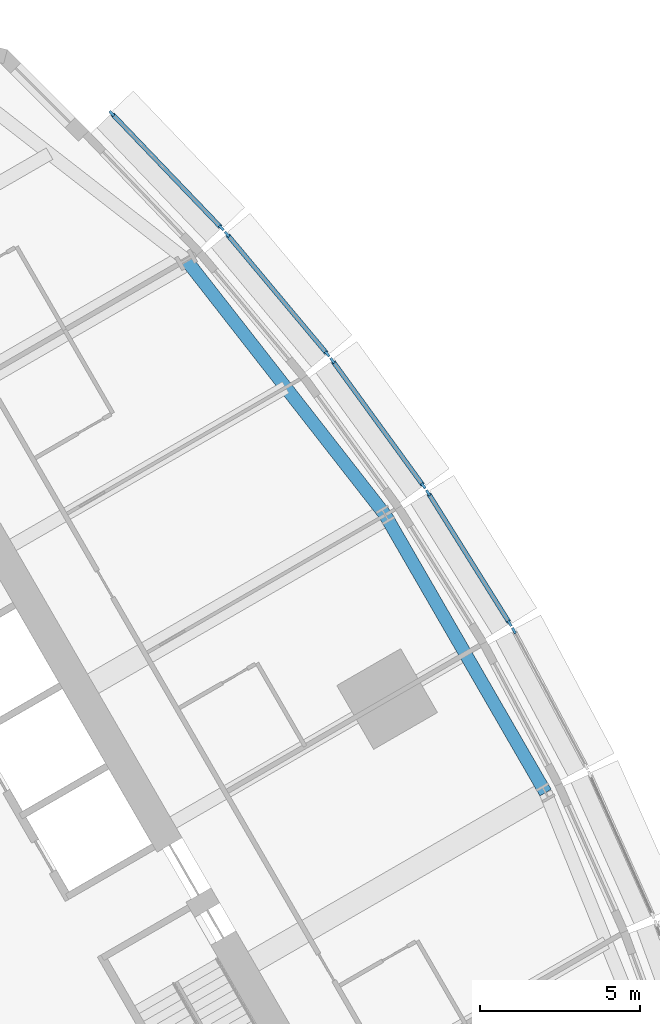
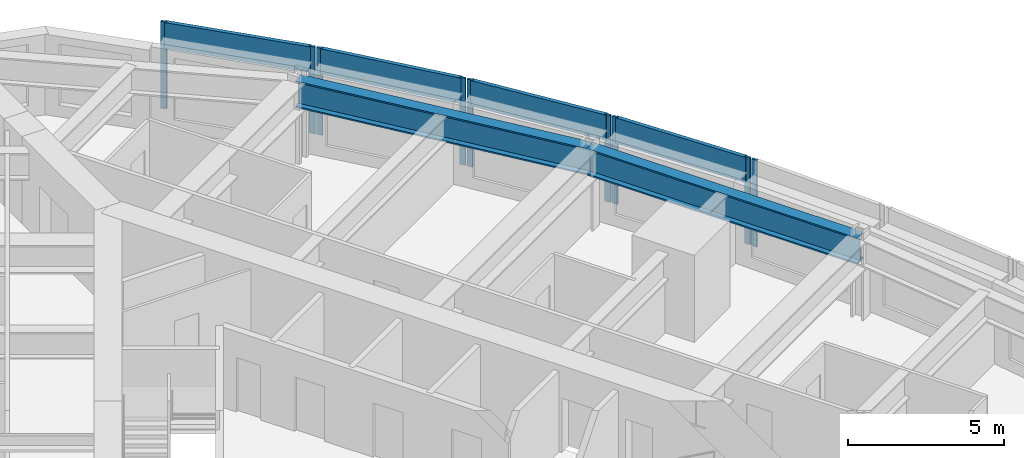
# One storey, part 6 of 15: 13 members, 2 beams, 5 elements without a shape of their own.
"""IFC4 building model written with IfcOpenShell, lengths in metres."""

from ifc_helpers import new_model, si_unit, direction, frame, origin, origin_2d, place, context, subcontext, project, spatial, rectangle, i_section, extrude, material, material_profile, profile_set, type_object, element, aggregate, save


model = new_model("IFC4")

# Units and contexts
model_context = context("Model", 3, precision=1e-05, world=origin(), true_north=direction((0.0, 1.0)))
body_context = subcontext(model_context, "Body", "Model", "MODEL_VIEW")
ifc_project = project(units=[si_unit("LENGTHUNIT", "METRE"), si_unit("AREAUNIT", "SQUARE_METRE"), si_unit("VOLUMEUNIT", "CUBIC_METRE"), si_unit("PLANEANGLEUNIT", "RADIAN"), si_unit("MASSUNIT", "GRAM", prefix="KILO")], contexts=[model_context])

# Site, building, storey
site_placement = place(None, origin())
site = spatial("IfcSite", under=ifc_project, at=site_placement, CompositionType="ELEMENT")
building_placement = place(site_placement, origin())
building = spatial("IfcBuilding", under=site, at=building_placement, Name="Trikona Tower", CompositionType="ELEMENT")
storey_placement = place(building_placement, frame((0.0, 0.0, 186.10009765625)))
storey = spatial("IfcBuildingStorey", under=building, at=storey_placement, Name="L50", CompositionType="ELEMENT", Elevation=186.10009765625)

# Curtain wall, member
ifc_material_1 = material(Name="Aluminium curtain wall system", Category="aluminium")
curtain_wall_type = type_object("IfcCurtainWallType", Name="Curtain wall DS2S", PredefinedType="NOTDEFINED", material=ifc_material_1)
curtain_wall_1_placement = place(storey_placement, origin())
curtain_wall_1 = element("IfcCurtainWall", 1, at=curtain_wall_1_placement, inside=storey, type_object=curtain_wall_type, Name="Curtain wall DS2S L50", PredefinedType="NOTDEFINED")
ifc_material_2 = material(Name="Aluminium mullion, pale anodised", Category="aluminium")
ifc_material_profile_1 = material_profile(ifc_material_2, rectangle(XDim=0.080078125, YDim=0.199951171875, at=origin_2d()), Name="MUL-DS2S")
ifc_profile_set_1 = profile_set([ifc_material_profile_1], Name="Aluminium mullion, pale anodised")
member_type_1 = type_object("IfcMemberType", Name="Mullion DS2S 80x200", PredefinedType="MULLION", material=ifc_profile_set_1)
member_1_placement = place(storey_placement, frame((19.2666015625, 10.9716796875, 0.0), z_axis=(0.0, 0.0, 1.0), x_axis=(-0.882996107343, -0.469380308937, 0.0)))
member_1 = element("IfcMember", 2, at=member_1_placement, type_object=member_type_1, Name="CW-DS2S mullion 2", PredefinedType="MULLION", context=body_context, shape_type="SweptSolid", body=[
    extrude(rectangle(XDim=0.080078125, YDim=0.199951171875, at=origin_2d()), origin(), (0.0, 0.0, 1.0), 3.39990234375),
])
aggregate(curtain_wall_1, [member_1])

# Curtain wall, members
curtain_wall_2_placement = place(storey_placement, origin())
curtain_wall_2 = element("IfcCurtainWall", 3, at=curtain_wall_2_placement, inside=storey, type_object=curtain_wall_type, Name="Curtain wall DS2S L50", PredefinedType="NOTDEFINED")
member_2_placement = place(storey_placement, frame((19.135009765625, 11.199462890625, 0.0), z_axis=(0.0, 0.0, 1.0), x_axis=(-0.847998304006, -0.529998940002, 0.0)))
member_2 = element("IfcMember", 4, at=member_2_placement, type_object=member_type_1, Name="CW-DS2S mullion 1", PredefinedType="MULLION", context=body_context, shape_type="SweptSolid", body=[
    extrude(rectangle(XDim=0.080078125, YDim=0.199951171875, at=origin_2d()), origin(), (0.0, 0.0, 1.0), 3.39990234375),
])
member_3_placement = place(storey_placement, frame((16.589599609375, 15.2724609375, 0.0), z_axis=(0.0, 0.0, 1.0), x_axis=(-0.847998304006, -0.529998940002, 0.0)))
member_3 = element("IfcMember", 5, at=member_3_placement, type_object=member_type_1, Name="CW-DS2S mullion 2", PredefinedType="MULLION", context=body_context, shape_type="SweptSolid", body=[
    extrude(rectangle(XDim=0.080078125, YDim=0.199951171875, at=origin_2d()), origin(), (0.0, 0.0, 1.0), 3.39990234375),
])

curtain_wall_3_placement = place(storey_placement, origin())
curtain_wall_3 = element("IfcCurtainWall", 6, at=curtain_wall_3_placement, inside=storey, type_object=curtain_wall_type, Name="Curtain wall DS2S L50", PredefinedType="NOTDEFINED")
member_4_placement = place(storey_placement, frame((16.442626953125, 15.489990234375, 0.0), z_axis=(0.0, 0.0, 1.0), x_axis=(-0.80908576332, -0.587690588313, 0.0)))
member_4 = element("IfcMember", 7, at=member_4_placement, type_object=member_type_1, Name="CW-DS2S mullion 1", PredefinedType="MULLION", context=body_context, shape_type="SweptSolid", body=[
    extrude(rectangle(XDim=0.080078125, YDim=0.199951171875, at=origin_2d()), origin(), (0.0, 0.0, 1.0), 3.39990234375),
])
member_5_placement = place(storey_placement, frame((13.605712890625, 19.39599609375, 0.0), z_axis=(0.0, 0.0, 1.0), x_axis=(-0.80908576332, -0.587690588313, 0.0)))
member_5 = element("IfcMember", 8, at=member_5_placement, type_object=member_type_1, Name="CW-DS2S mullion 2", PredefinedType="MULLION", context=body_context, shape_type="SweptSolid", body=[
    extrude(rectangle(XDim=0.080078125, YDim=0.199951171875, at=origin_2d()), origin(), (0.0, 0.0, 1.0), 3.39990234375),
])

curtain_wall_4_placement = place(storey_placement, origin())
curtain_wall_4 = element("IfcCurtainWall", 9, at=curtain_wall_4_placement, inside=storey, type_object=curtain_wall_type, Name="Curtain wall DS2S L50", PredefinedType="NOTDEFINED")
member_6_placement = place(storey_placement, frame((13.44482421875, 19.602294921875, 0.0), z_axis=(0.0, 0.0, 1.0), x_axis=(-0.766866678271, -0.641806433248, 0.0)))
member_6 = element("IfcMember", 10, at=member_6_placement, type_object=member_type_1, Name="CW-DS2S mullion 1", PredefinedType="MULLION", context=body_context, shape_type="SweptSolid", body=[
    extrude(rectangle(XDim=0.080078125, YDim=0.199951171875, at=origin_2d()), origin(), (0.0, 0.0, 1.0), 3.39990234375),
])
member_7_placement = place(storey_placement, frame((10.315185546875, 23.34130859375, 0.0), z_axis=(0.0, 0.0, 1.0), x_axis=(-0.766866678271, -0.641806433248, 0.0)))
member_7 = element("IfcMember", 11, at=member_7_placement, type_object=member_type_1, Name="CW-DS2S mullion 2", PredefinedType="MULLION", context=body_context, shape_type="SweptSolid", body=[
    extrude(rectangle(XDim=0.080078125, YDim=0.199951171875, at=origin_2d()), origin(), (0.0, 0.0, 1.0), 3.39990234375),
])

curtain_wall_5_placement = place(storey_placement, origin())
curtain_wall_5 = element("IfcCurtainWall", 12, at=curtain_wall_5_placement, inside=storey, type_object=curtain_wall_type, Name="Curtain wall DS2S L50", PredefinedType="NOTDEFINED")
member_8_placement = place(storey_placement, frame((10.1416015625, 23.535400390625, 0.0), z_axis=(0.0, 0.0, 1.0), x_axis=(-0.722158330767, -0.691727797117, 0.0)))
member_8 = element("IfcMember", 13, at=member_8_placement, type_object=member_type_1, Name="CW-DS2S mullion 1", PredefinedType="MULLION", context=body_context, shape_type="SweptSolid", body=[
    extrude(rectangle(XDim=0.080078125, YDim=0.199951171875, at=origin_2d()), origin(), (0.0, 0.0, 1.0), 3.39990234375),
])
member_9_placement = place(storey_placement, frame((6.718994140625, 27.1083984375, 0.0), z_axis=(0.0, 0.0, 1.0), x_axis=(-0.722158330767, -0.691727797117, 0.0)))
member_9 = element("IfcMember", 14, at=member_9_placement, type_object=member_type_1, Name="CW-DS2S mullion 2", PredefinedType="MULLION", context=body_context, shape_type="SweptSolid", body=[
    extrude(rectangle(XDim=0.080078125, YDim=0.199951171875, at=origin_2d()), origin(), (0.0, 0.0, 1.0), 3.39990234375),
])

# Beams
ifc_material_3 = material(Name="Steel ASTM A992 Grade 50", Category="steel")
ifc_material_profile_2 = material_profile(ifc_material_3, i_section(OverallWidth=0.408935546875, OverallDepth=1.04150390625, WebThickness=0.031005859375, FlangeThickness=0.055908203125, at=origin_2d()), Name="W40X397")
ifc_profile_set_2 = profile_set([ifc_material_profile_2], Name="Steel ASTM A992 Grade 50")
beam_type = type_object("IfcBeamType", Name="Steel beam W40x397 (plant spandrel)", PredefinedType="SPANDREL", material=ifc_profile_set_2)
beam_1_placement = place(storey_placement, frame((20.253662109375, 5.919921875, 2.629150390625), z_axis=(-0.500004234368, 0.866022959057, 0.0), x_axis=(-0.866022959057, -0.500004234368, 0.0)))
element("IfcBeam", 15, at=beam_1_placement, inside=storey, type_object=beam_type, Name="Spandrel beam L51 F2-3", PredefinedType="SPANDREL", context=body_context, shape_type="SweptSolid", body=[
    extrude(i_section(OverallWidth=0.408935546875, OverallDepth=1.04150390625, WebThickness=0.031005859375, FlangeThickness=0.055908203125, at=origin_2d()), origin(), (0.0, 0.0, 1.0), 10.0),
])
beam_2_placement = place(storey_placement, frame((15.253662109375, 14.580078125, 2.629150390625), z_axis=(-0.615232009054, 0.788346101046, 0.0), x_axis=(-0.788346101046, -0.615232009054, 0.0)))
element("IfcBeam", 16, at=beam_2_placement, inside=storey, type_object=beam_type, Name="Spandrel beam L51 F2-4", PredefinedType="SPANDREL", context=body_context, shape_type="SweptSolid", body=[
    extrude(i_section(OverallWidth=0.408935546875, OverallDepth=1.04150390625, WebThickness=0.031005859375, FlangeThickness=0.055908203125, at=origin_2d()), origin(), (0.0, 0.0, 1.0), 10.09765625),
])

# Member
ifc_material_4 = material(Name="Aluminium transom, pale anodised", Category="aluminium")
ifc_material_profile_3 = material_profile(ifc_material_4, rectangle(XDim=0.139892578125, YDim=1.0, at=origin_2d()), Name="TRN-DS2S")
ifc_profile_set_3 = profile_set([ifc_material_profile_3], Name="Aluminium transom, pale anodised")
member_type_2 = type_object("IfcMemberType", Name="Transom DS2S 1000x140", PredefinedType="USERDEFINED", material=ifc_profile_set_3)
member_10_placement = place(storey_placement, frame((19.114013671875, 11.2333984375, 2.89990234375), z_axis=(-0.530031463794, 0.847977975769, 0.0), x_axis=(-0.847977975769, -0.530031463794, 0.0)))
member_10 = element("IfcMember", 17, at=member_10_placement, type_object=member_type_2, Name="CW-DS2S transom 1.1", ObjectType="TRANSOM", PredefinedType="USERDEFINED", context=body_context, shape_type="SweptSolid", body=[
    extrude(rectangle(XDim=0.139892578125, YDim=1.0, at=origin_2d()), origin(), (0.0, 0.0, 1.0), 4.72314453125),
])

aggregate(curtain_wall_2, [member_2, member_3, member_10])

member_11_placement = place(storey_placement, frame((16.419189453125, 15.5224609375, 2.89990234375), z_axis=(-0.587694585883, 0.809082859616, 0.0), x_axis=(-0.809082859616, -0.587694585883, 0.0)))
member_11 = element("IfcMember", 18, at=member_11_placement, type_object=member_type_2, Name="CW-DS2S transom 1.1", ObjectType="TRANSOM", PredefinedType="USERDEFINED", context=body_context, shape_type="SweptSolid", body=[
    extrude(rectangle(XDim=0.139892578125, YDim=1.0, at=origin_2d()), origin(), (0.0, 0.0, 1.0), 4.747314453125),
])

aggregate(curtain_wall_3, [member_4, member_5, member_11])

member_12_placement = place(storey_placement, frame((13.4189453125, 19.6328125, 2.89990234375), z_axis=(-0.641770294892, 0.766896921753, 0.0), x_axis=(-0.766896921753, -0.641770294892, 0.0)))
member_12 = element("IfcMember", 19, at=member_12_placement, type_object=member_type_2, Name="CW-DS2S transom 1.1", ObjectType="TRANSOM", PredefinedType="USERDEFINED", context=body_context, shape_type="SweptSolid", body=[
    extrude(rectangle(XDim=0.139892578125, YDim=1.0, at=origin_2d()), origin(), (0.0, 0.0, 1.0), 4.7958984375),
])

aggregate(curtain_wall_4, [member_6, member_7, member_12])

member_13_placement = place(storey_placement, frame((10.114013671875, 23.564208984375, 2.89990234375), z_axis=(-0.691721246785, 0.722164605022, 0.0), x_axis=(-0.722164605022, -0.691721246785, 0.0)))
member_13 = element("IfcMember", 20, at=member_13_placement, type_object=member_type_2, Name="CW-DS2S transom 1.1", ObjectType="TRANSOM", PredefinedType="USERDEFINED", context=body_context, shape_type="SweptSolid", body=[
    extrude(rectangle(XDim=0.139892578125, YDim=1.0, at=origin_2d()), origin(), (0.0, 0.0, 1.0), 4.867919921875),
])

aggregate(curtain_wall_5, [member_8, member_9, member_13])

save(model, "model.ifc")
